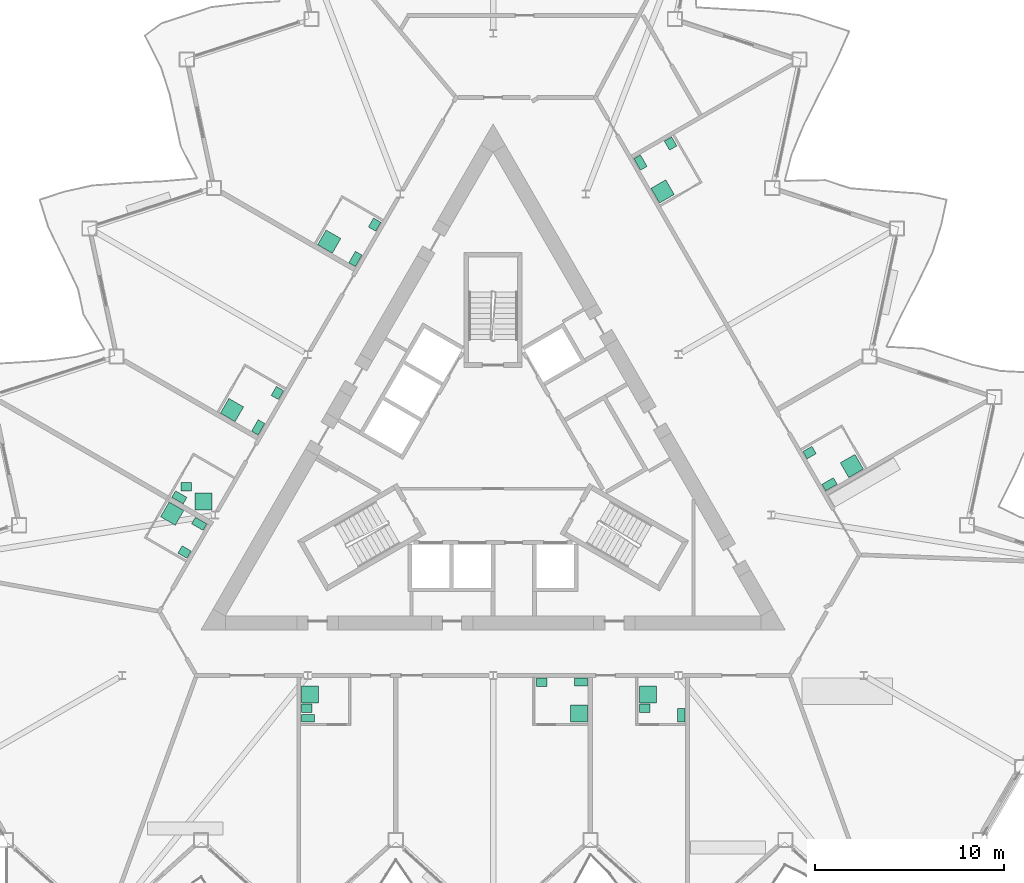
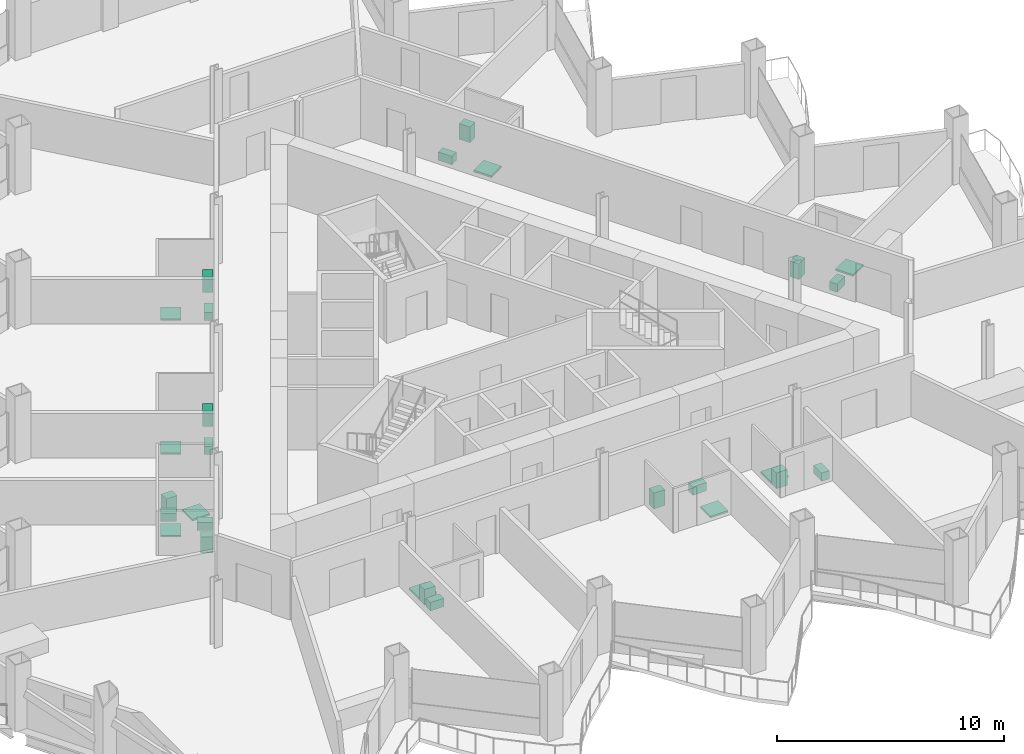
# One storey, part 22 of 23: 27 sanitary terminals.
"""IFC4 building model written with IfcOpenShell, lengths in metres."""

from ifc_helpers import new_model, si_unit, direction, frame, origin, origin_2d, place, context, subcontext, project, spatial, rectangle, extrude, material, type_object, element, save


model = new_model("IFC4")

# Units and contexts
model_context = context("Model", 3, precision=1e-05, world=origin(), true_north=direction((0.0, 1.0)))
body_context = subcontext(model_context, "Body", "Model", "MODEL_VIEW")
ifc_project = project(units=[si_unit("LENGTHUNIT", "METRE"), si_unit("AREAUNIT", "SQUARE_METRE"), si_unit("VOLUMEUNIT", "CUBIC_METRE"), si_unit("PLANEANGLEUNIT", "RADIAN"), si_unit("MASSUNIT", "GRAM", prefix="KILO")], contexts=[model_context])

# Site, building, storey
site_placement = place(None, origin())
site = spatial("IfcSite", under=ifc_project, at=site_placement, CompositionType="ELEMENT")
building_placement = place(site_placement, origin())
building = spatial("IfcBuilding", under=site, at=building_placement, Name="Cormorant Prow Tower", CompositionType="ELEMENT")
storey_placement = place(building_placement, frame((0.0, 0.0, 208.800048828125)))
storey = spatial("IfcBuildingStorey", under=building, at=storey_placement, Name="L46", CompositionType="ELEMENT", Elevation=208.800048828125)

# Sanitary terminals
ifc_material_1 = material(Name="Vitreous china")
sanitary_terminal_type_1 = type_object("IfcSanitaryTerminalType", Name="Shower tray 900x900", PredefinedType="SHOWER", material=ifc_material_1)
for number, where, z_axis, x_axis, name in (
    (1, (-9.71630859375, -12.35400390625, 0.0), (0.0, 0.0, 1.0), (1.0, 0.0, 0.0), "Shower tray"),
    (2, (4.560546875, -13.35400390625, 0.0), (0.0, 0.0, 1.0), (-1.0, 0.0, 0.0), "Shower tray"),
    (3, (8.206298828125, -12.35400390625, 0.0), (0.0, 0.0, 1.0), (1.0, 0.0, 0.0), "Shower tray"),
    (4, (19.02099609375, -0.237548828125, 0.0), (0.0, 0.0, 1.0), (-0.866025403784, -0.5, 0.0), "Shower tray"),
    (5, (8.98876953125, 14.319091796875, 0.0), (0.0, 0.0, 1.0), (-0.5, 0.866025403784, 0.0), "Shower tray"),
    (6, (-8.689453125, 11.6572265625, 0.0), (0.0, 0.0, 1.0), (0.5, 0.866025403784, 0.0), "Shower tray"),
    (7, (-13.84521484375, 2.727294921875, 0.0), (0.0, 0.0, 1.0), (0.5, 0.866025403784, 0.0), "Shower tray"),
    (8, (-15.35595703125, -2.12548828125, 0.0), (0.0, 0.0, 1.0), (1.0, 0.0, 0.0), "Shower tray"),
    (9, (-17.01806640625, -2.76806640625, 0.0), (0.0, 0.0, 1.0), (0.866025403784, -0.5, 0.0), "Shower tray"),
):
    element("IfcSanitaryTerminal", number, at=place(storey_placement, frame(where, z_axis=z_axis, x_axis=x_axis)), inside=storey, type_object=sanitary_terminal_type_1, Name=name, PredefinedType="SHOWER", context=body_context, shape_type="SweptSolid", body=[
        extrude(rectangle(XDim=0.89990234375, YDim=0.89990234375, at=origin_2d()), origin(), (0.0, 0.0, 1.0), 0.10009765625),
    ])
ifc_material_2 = material(Name="Vitreous china")
sanitary_terminal_type_2 = type_object("IfcSanitaryTerminalType", Name="Wash basin 550x450", PredefinedType="WASHHANDBASIN", material=ifc_material_2)
for number, where, z_axis, x_axis, name in (
    (10, (-9.891357421875, -13.078857421875, 0.0), (0.0, 0.0, 1.0), (1.0, 0.0, 0.0), "Wash basin"),
    (11, (2.57568359375, -11.718994140625, 0.0), (0.0, 0.0, 1.0), (1.0, 0.0, 0.0), "Wash basin"),
    (12, (8.03125, -13.078857421875, 0.0), (0.0, 0.0, 1.0), (1.0, 0.0, 0.0), "Wash basin"),
    (13, (16.781005859375, 0.472412109375, 0.0), (0.0, 0.0, 1.0), (0.866025403784, 0.5, 0.0), "Wash basin"),
    (14, (9.412109375, 16.855712890625, 0.0), (0.0, 0.0, 1.0), (0.5, -0.866025403784, 0.0), "Wash basin"),
    (15, (-6.281005859375, 12.55859375, 0.0), (0.0, 0.0, 1.0), (-0.5, -0.866025403784, 0.0), "Wash basin"),
    (16, (-11.436767578125, 3.62890625, 0.0), (0.0, 0.0, 1.0), (-0.5, -0.866025403784, 0.0), "Wash basin"),
    (17, (-16.281005859375, -1.3505859375, 0.0), (0.0, 0.0, 1.0), (1.0, 0.0, 0.0), "Wash basin"),
    (18, (-16.36279296875, -4.803466796875, 0.0), (0.0, 0.0, 1.0), (-0.866025403784, 0.5, 0.0), "Wash basin"),
):
    element("IfcSanitaryTerminal", number, at=place(storey_placement, frame(where, z_axis=z_axis, x_axis=x_axis)), inside=storey, type_object=sanitary_terminal_type_2, Name=name, PredefinedType="WASHHANDBASIN", context=body_context, shape_type="SweptSolid", body=[
        extrude(rectangle(XDim=0.550048828125, YDim=0.449951171875, at=origin_2d()), origin(), (0.0, 0.0, 1.0), 0.85009765625),
    ])
ifc_material_3 = material(Name="Vitreous china")
sanitary_terminal_type_3 = type_object("IfcSanitaryTerminalType", Name="Water closet 400x700", PredefinedType="WCSEAT", material=ifc_material_3)
for number, where, z_axis, x_axis, name in (
    (19, (-9.81640625, -13.60400390625, 0.0), (0.0, 0.0, 1.0), (0.0, 1.0, 0.0), "Water closet"),
    (20, (4.66064453125, -11.69384765625, 0.0), (0.0, 0.0, 1.0), (0.0, -1.0, 0.0), "Water closet"),
    (21, (9.96630859375, -13.453857421875, 0.0), (0.0, 0.0, 1.0), (-1.0, 0.0, 0.0), "Water closet"),
    (22, (17.83837890625, -1.208984375, 0.0), (0.0, 0.0, 1.0), (-0.5, 0.866025403784, 0.0), "Water closet"),
    (23, (7.817138671875, 15.84814453125, 0.0), (0.0, 0.0, 1.0), (0.866025403784, 0.5, 0.0), "Water closet"),
    (24, (-7.302001953125, 10.740478515625, 0.0), (0.0, 0.0, 1.0), (-0.866025403784, 0.5, 0.0), "Water closet"),
    (25, (-12.45751953125, 1.810791015625, 0.0), (0.0, 0.0, 1.0), (-0.866025403784, 0.5, 0.0), "Water closet"),
    (26, (-16.634521484375, -1.904052734375, 0.0), (0.0, 0.0, 1.0), (0.5, 0.866025403784, 0.0), "Water closet"),
    (27, (-15.585205078125, -3.306640625, 0.0), (0.0, 0.0, 1.0), (-0.5, -0.866025403784, 0.0), "Water closet"),
):
    element("IfcSanitaryTerminal", number, at=place(storey_placement, frame(where, z_axis=z_axis, x_axis=x_axis)), inside=storey, type_object=sanitary_terminal_type_3, Name=name, PredefinedType="WCSEAT", context=body_context, shape_type="SweptSolid", body=[
        extrude(rectangle(XDim=0.39990234375, YDim=0.699951171875, at=origin_2d()), origin(), (0.0, 0.0, 1.0), 0.449951171875),
    ])

save(model, "model.ifc")
